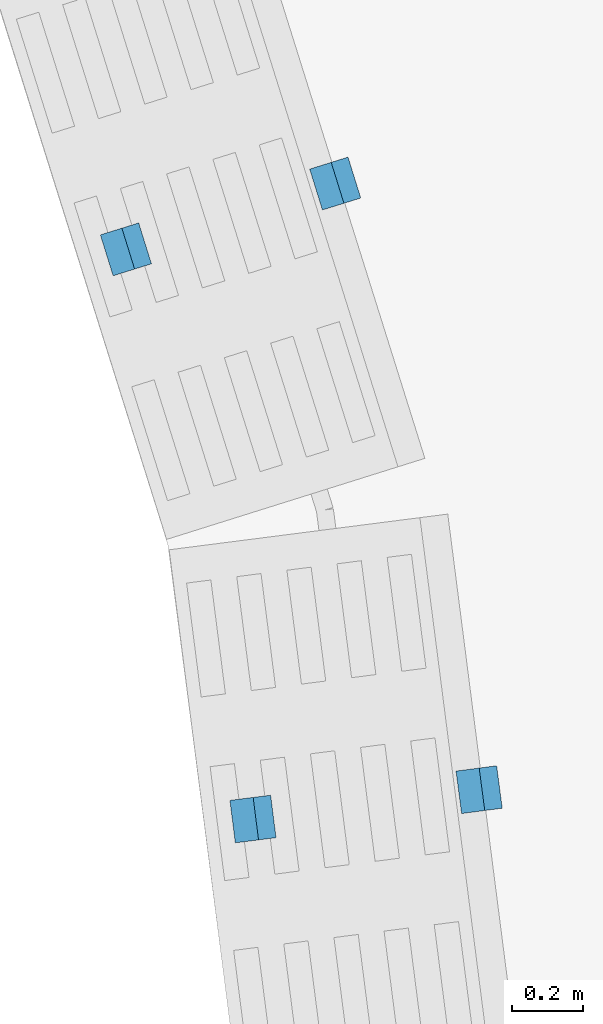
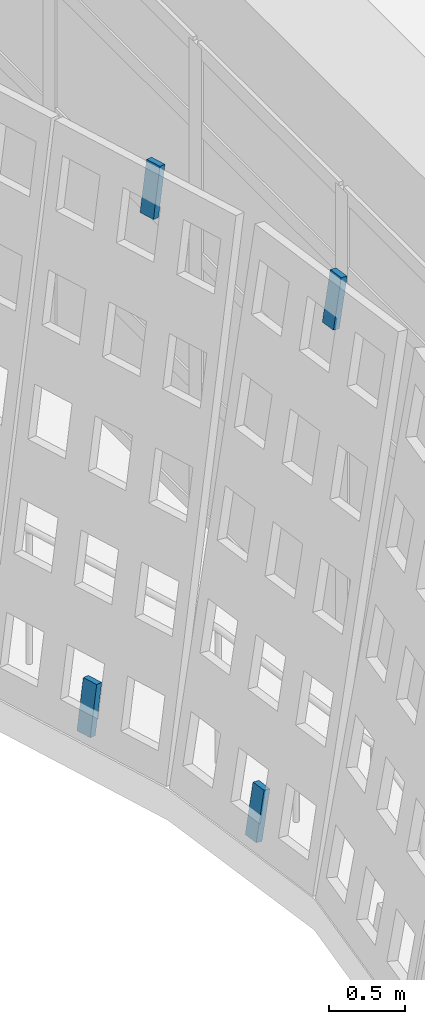
# One storey, part 100 of 162: 4 discrete accessories.
"""IFC4 building model written with IfcOpenShell, lengths in metres."""

from ifc_helpers import new_model, si_unit, direction, frame, origin, origin_2d, place, context, subcontext, project, spatial, rectangle, extrude, material, material_profile, profile_set, type_object, element, save


model = new_model("IFC4")

# Units and contexts
model_context = context("Model", 3, precision=1e-05, world=origin(), true_north=direction((0.0, 1.0)))
body_context = subcontext(model_context, "Body", "Model", "MODEL_VIEW")
ifc_project = project(units=[si_unit("LENGTHUNIT", "METRE"), si_unit("AREAUNIT", "SQUARE_METRE"), si_unit("VOLUMEUNIT", "CUBIC_METRE"), si_unit("PLANEANGLEUNIT", "RADIAN"), si_unit("MASSUNIT", "GRAM", prefix="KILO")], contexts=[model_context])

# Site, building, storey
site_placement = place(None, origin())
site = spatial("IfcSite", under=ifc_project, at=site_placement, CompositionType="ELEMENT")
building_placement = place(site_placement, origin())
building = spatial("IfcBuilding", under=site, at=building_placement, Name="Rain Tree Exposition and Congress Centre", CompositionType="ELEMENT")
storey_placement = place(building_placement, frame((0.0, 0.0, 6.0)))
storey = spatial("IfcBuildingStorey", under=building, at=storey_placement, Name="L01", CompositionType="ELEMENT", Elevation=6.0)

# Discrete accessories
ifc_material = material(Name="Steel S355J2", Category="steel")
ifc_material_profile = material_profile(ifc_material, rectangle(XDim=0.1201171875, YDim=0.050048828125, at=origin_2d()), Name="Flat bar 120x50")
ifc_profile_set = profile_set([ifc_material_profile], Name="Steel S355J2")
discrete_accessory_type = type_object("IfcDiscreteAccessoryType", Name="Screen bracket 120x50", PredefinedType="BRACKET", material=ifc_profile_set)
for number, where, z_axis, x_axis, name in (
    (1, (-1.66552734375, 27.778564453125, 3.85107421875), (0.150742588713, 0.04699262887, 0.987455500152), (-0.297614686764, 0.954686073127, 0.0), "wing/bracket/L01/1171t"),
    (2, (-2.252685546875, 27.593994140625, 0.00390625), (0.150742588713, 0.04699262887, 0.987455500152), (-0.297614686764, 0.954686073127, 0.0), "wing/bracket/L01/1171b"),
):
    element("IfcDiscreteAccessory", number, at=place(storey_placement, frame(where, z_axis=z_axis, x_axis=x_axis)), inside=storey, type_object=discrete_accessory_type, Name=name, PredefinedType="BRACKET", context=body_context, shape_type="SweptSolid", body=[
        extrude(rectangle(XDim=0.1201171875, YDim=0.050048828125, at=origin_2d()), origin(), (0.0, 0.0, 1.0), 0.400146484375),
    ])
for number, where, z_axis, x_axis, name in (
    (3, (-1.26416015625, 26.08349609375, 3.851318359375), (0.162381270396, 0.021365956631, 0.986496740452), (-0.130454512571, 0.991454295543, 0.0), "wing/bracket/L01/1181t"),
    (4, (-1.898681640625, 26.001220703125, 0.004150390625), (0.162977636468, 0.020753706516, 0.986411462665), (-0.12632075382, 0.991989449114, 0.0), "wing/bracket/L01/1181b"),
):
    element("IfcDiscreteAccessory", number, at=place(storey_placement, frame(where, z_axis=z_axis, x_axis=x_axis)), inside=storey, type_object=discrete_accessory_type, Name=name, PredefinedType="BRACKET", context=body_context, shape_type="SweptSolid", body=[
        extrude(rectangle(XDim=0.1201171875, YDim=0.050048828125, at=origin_2d()), origin(), (0.0, 0.0, 1.0), 0.39990234375),
    ])

save(model, "model.ifc")
